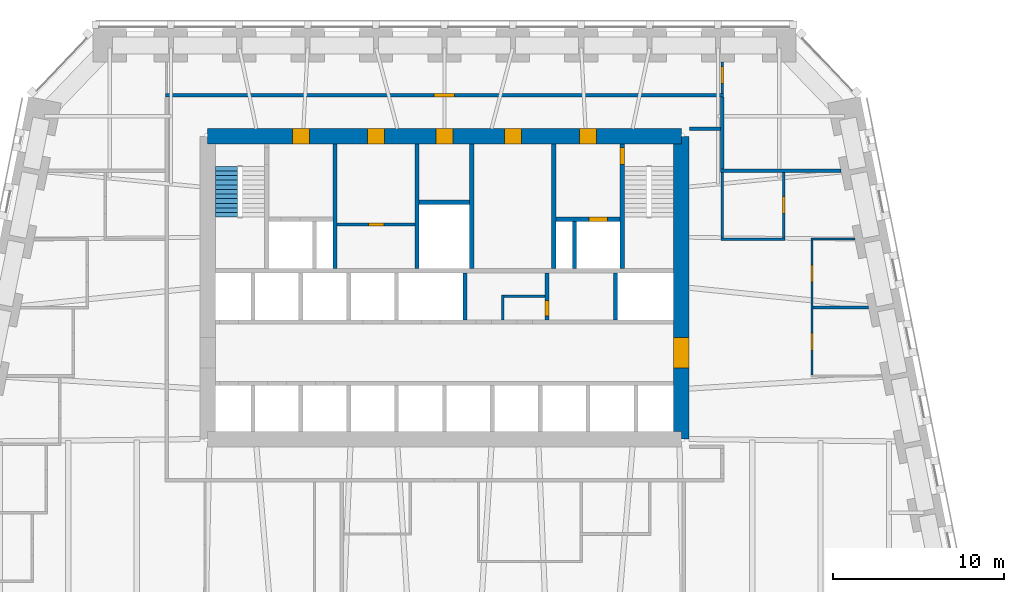
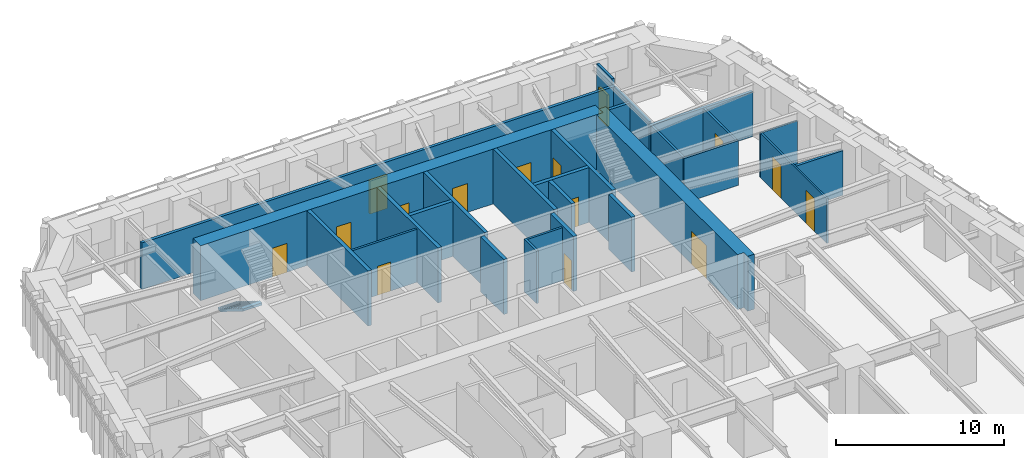
# One storey, part 14 of 17: 27 walls, 15 doors, 1 stair flight, 15 openings, 1 element without a shape of its own.
"""IFC4 building model written with IfcOpenShell, lengths in metres."""

import ifcopenshell
import ifcopenshell.guid

model = None  # the IFC model being written
_history = None  # IfcOwnerHistory: only IFC2X3 demands one
_inside = {}  # id of a spatial element -> (the spatial element, [elements in it])
_under = {}  # id of a project, library or spatial element -> (it, [spatial elements below it])
_declared = {}  # id of a project -> (the project, [libraries it declares])
_typed = {}  # id of a type object -> (the type object, [elements of that type])
_made_of = {}  # id of a material, layer set ... -> (it, [elements and type objects made of it])


def new_model(schema):
    """Start an empty IFC model of exactly this schema.

    Asked for "IFC4X3", IfcOpenShell would pick the latest addendum, in which some entities
    have other attributes; the version numbers below select the first issue.
    IFC2X3 requires an IfcOwnerHistory on every rooted entity: one is made here for all.
    """
    global model, _history
    if schema == "IFC4X3":
        model = ifcopenshell.file(schema_version=(4, 3, 0, 0))
    else:
        model = ifcopenshell.file(schema=schema)
    _inside.clear()
    _under.clear()
    _declared.clear()
    _typed.clear()
    _made_of.clear()
    _history = None
    if model.schema == "IFC2X3":
        org = make("IfcOrganization", Name="unknown")
        user = make(
            "IfcPersonAndOrganization",
            ThePerson=make("IfcPerson", FamilyName="unknown"),
            TheOrganization=org,
        )
        app = make(
            "IfcApplication",
            ApplicationDeveloper=org,
            Version="unknown",
            ApplicationFullName="unknown",
            ApplicationIdentifier="unknown",
        )
        _history = make(
            "IfcOwnerHistory",
            OwningUser=user,
            OwningApplication=app,
            ChangeAction="ADDED",
            CreationDate=0,
        )
    return model


def make(cls, **values):
    """One entity of the class cls with the attributes given. An attribute that is None is left unset."""
    return model.create_entity(
        cls, **{name: value for name, value in values.items() if value is not None}
    )


def rooted(cls, **values):
    """An entity with a GlobalId (a new one), such as an element, a storey or a relation."""
    return make(cls, GlobalId=ifcopenshell.guid.new(), OwnerHistory=_history, **values)


def si_unit(unit_type, name, prefix=None):
    """IfcSIUnit, for example si_unit("LENGTHUNIT", "METRE", prefix="MILLI")."""
    return make("IfcSIUnit", UnitType=unit_type, Prefix=prefix, Name=name)


def assignment(units):
    """IfcUnitAssignment: the units of a project."""
    return None if units is None else make("IfcUnitAssignment", Units=units)


def point(xyz):
    """IfcCartesianPoint."""
    return None if xyz is None else make("IfcCartesianPoint", Coordinates=xyz)


def direction(xyz):
    """IfcDirection."""
    return None if xyz is None else make("IfcDirection", DirectionRatios=xyz)


def frame(location, z_axis=None, x_axis=None):
    """IfcAxis2Placement3D, a coordinate frame: its origin and axes. An axis left out is left unset."""
    return make(
        "IfcAxis2Placement3D",
        Location=point(location),
        Axis=direction(z_axis),
        RefDirection=direction(x_axis),
    )


def frame_2d(location, x_axis=None):
    """IfcAxis2Placement2D, a coordinate frame in the plane: its origin and x axis."""
    return make(
        "IfcAxis2Placement2D", Location=point(location), RefDirection=direction(x_axis)
    )


def origin():
    """The frame at (0, 0, 0) with its axes left unset."""
    return frame((0.0, 0.0, 0.0))


def place(relative_to, where):
    """IfcLocalPlacement: puts the frame where relative to a parent placement (None: the world)."""
    return make(
        "IfcLocalPlacement", PlacementRelTo=relative_to, RelativePlacement=where
    )


def context(
    kind, dimensions, precision=None, world=None, true_north=None, identifier=None
):
    """IfcGeometricRepresentationContext, for example the 3D "Model" context."""
    return make(
        "IfcGeometricRepresentationContext",
        ContextIdentifier=identifier,
        ContextType=kind,
        CoordinateSpaceDimension=dimensions,
        Precision=precision,
        WorldCoordinateSystem=world,
        TrueNorth=true_north,
    )


def subcontext(parent, identifier, kind, view, scale=None):
    """IfcGeometricRepresentationSubContext, for example "Body" below "Model"."""
    return make(
        "IfcGeometricRepresentationSubContext",
        ContextIdentifier=identifier,
        ContextType=kind,
        ParentContext=parent,
        TargetScale=scale,
        TargetView=view,
    )


def project(units=None, contexts=None):
    """IfcProject with its units and contexts."""
    return rooted(
        "IfcProject",
        Name="project",
        RepresentationContexts=contexts,
        UnitsInContext=assignment(units),
    )


def spatial(cls, under=None, at=None, **own):
    """A site, building, storey or space (cls), placed at a placement, below another one or the project."""
    s = rooted(cls, ObjectPlacement=at, **own)
    if under is not None:
        _under.setdefault(under.id(), (under, []))[1].append(s)
    return s


def polyline(points):
    """IfcPolyline through the points."""
    return make("IfcPolyline", Points=[point(p) for p in points])


def profile(cls, at=None, kind="AREA", **sizes):
    """A parametric profile (cls). Its sizes go by their IFC names, for example OverallWidth=200.0."""
    return make(cls, ProfileType=kind, Position=at, **sizes)


def rectangle(**sizes):
    """IfcRectangleProfileDef."""
    return profile("IfcRectangleProfileDef", **sizes)


def outline(outer, holes=None, kind="AREA"):
    """IfcArbitraryClosedProfileDef: a profile drawn as a closed curve; with holes, ...WithVoids."""
    if holes is None:
        return make("IfcArbitraryClosedProfileDef", ProfileType=kind, OuterCurve=outer)
    return make(
        "IfcArbitraryProfileDefWithVoids",
        ProfileType=kind,
        OuterCurve=outer,
        InnerCurves=holes,
    )


def extrude(swept, where, along, depth):
    """IfcExtrudedAreaSolid: the profile swept, set in the frame where, extruded along a direction by depth."""
    return make(
        "IfcExtrudedAreaSolid",
        SweptArea=swept,
        Position=where,
        ExtrudedDirection=direction(along),
        Depth=depth,
    )


def shape(context_of_items, identifier, shape_type, items):
    """IfcShapeRepresentation: the items that make up one representation, for example the "Body"."""
    return make(
        "IfcShapeRepresentation",
        ContextOfItems=context_of_items,
        RepresentationIdentifier=identifier,
        RepresentationType=shape_type,
        Items=items,
    )


def material(Name=None, Category=None):
    """IfcMaterial."""
    return make("IfcMaterial", Name=Name, Category=Category)


def layer(
    of_material, thickness, ventilated=None, Name=None, Category=None, Priority=None
):
    """IfcMaterialLayer: one layer of a wall or slab, of a material (None: an air gap)."""
    return make(
        "IfcMaterialLayer",
        Material=of_material,
        LayerThickness=thickness,
        IsVentilated=ventilated,
        Name=Name,
        Category=Category,
        Priority=Priority,
    )


def layer_set(layers, Name=None):
    """IfcMaterialLayerSet."""
    return make("IfcMaterialLayerSet", MaterialLayers=layers, LayerSetName=Name)


def made_of(thing, what):
    """Note that an element or type object is made of a material, layer set ...; save() writes the relation."""
    if what is not None:
        _made_of.setdefault(what.id(), (what, []))[1].append(thing)
    return thing


def type_object(cls, material=None, **own):
    """A type object (cls), such as IfcWallType, which elements share."""
    return made_of(rooted(cls, **own), material)


def element(
    cls,
    number,
    at=None,
    inside=None,
    cuts=None,
    type_object=None,
    material=None,
    context=None,
    identifier="Body",
    shape_type=None,
    held_by="IfcProductDefinitionShape",
    body=None,
    shapes=None,
    **own,
):
    """One element of the class cls, such as IfcWall. Its Tag is "e" and its number.

    at: its placement. inside: the storey or other place that contains it. cuts: it is an
    opening in that element (IfcRelVoidsElement). A single representation is given by context,
    identifier, shape_type and body (its items); several are given by shapes. held_by: the class
    of the entity that holds the representations. save() writes the other relations.
    """
    e = rooted(cls, Tag="e%d" % number, ObjectPlacement=at, **own)
    if body is not None:
        shapes = [shape(context, identifier, shape_type, body)]
    if shapes is not None:
        e.Representation = make(held_by, Representations=shapes)
    if inside is not None:
        _inside.setdefault(inside.id(), (inside, []))[1].append(e)
    if cuts is not None:
        rooted(
            "IfcRelVoidsElement", RelatingBuildingElement=cuts, RelatedOpeningElement=e
        )
    if type_object is not None:
        _typed.setdefault(type_object.id(), (type_object, []))[1].append(e)
    return made_of(e, material)


def fill(opening, filler):
    """IfcRelFillsElement: the door or window that sits in an opening."""
    return rooted(
        "IfcRelFillsElement",
        RelatingOpeningElement=opening,
        RelatedBuildingElement=filler,
    )


def aggregate(whole, parts):
    """IfcRelAggregates: a whole, such as a stair, and the parts it consists of."""
    return rooted("IfcRelAggregates", RelatingObject=whole, RelatedObjects=parts)


def save(model, path):
    """Write the relations noted so far, then the file.

    IfcRelAggregates (storeys below a building ...), IfcRelContainedInSpatialStructure (elements
    in a storey), IfcRelDefinesByType, IfcRelAssociatesMaterial and IfcRelDeclares: one each for
    every whole, place, type object, material and project.
    """
    for whole, parts in _under.values():
        aggregate(whole, parts)
    for where, things in _inside.values():
        rooted(
            "IfcRelContainedInSpatialStructure",
            RelatedElements=things,
            RelatingStructure=where,
        )
    for kind, things in _typed.values():
        rooted("IfcRelDefinesByType", RelatedObjects=things, RelatingType=kind)
    for what, things in _made_of.values():
        rooted("IfcRelAssociatesMaterial", RelatedObjects=things, RelatingMaterial=what)
    for by, libraries in _declared.values():
        rooted("IfcRelDeclares", RelatingContext=by, RelatedDefinitions=libraries)
    model.write(path)


model = new_model("IFC4")

# Units and contexts
model_context = context("Model", 3, precision=1e-05, world=origin(), true_north=direction((0.0, 1.0)))
body_context = subcontext(model_context, "Body", "Model", "MODEL_VIEW")
ifc_project = project(units=[si_unit("LENGTHUNIT", "METRE"), si_unit("AREAUNIT", "SQUARE_METRE"), si_unit("VOLUMEUNIT", "CUBIC_METRE"), si_unit("PLANEANGLEUNIT", "RADIAN"), si_unit("MASSUNIT", "GRAM", prefix="KILO")], contexts=[model_context])

# Site, building, storey
site_placement = place(None, origin())
site = spatial("IfcSite", under=ifc_project, at=site_placement, CompositionType="ELEMENT")
building_placement = place(site_placement, origin())
building = spatial("IfcBuilding", under=site, at=building_placement, Name="Isbrekke Arena Tower", CompositionType="ELEMENT")
storey_placement = place(building_placement, frame((0.0, 0.0, 48.0)))
storey = spatial("IfcBuildingStorey", under=building, at=storey_placement, Name="L09", CompositionType="ELEMENT", Elevation=48.0)

# Wall, opening, door
ifc_material_1 = material(Name="Concrete B65 (C65/80)", Category="concrete")
ifc_layer_1 = layer(ifc_material_1, 0.89990234375)
ifc_layer_set_1 = layer_set([ifc_layer_1], Name="CW2 CORE WALL 900")
wall_type_1 = type_object("IfcWallType", Name="CW2 CORE WALL 900", PredefinedType="SHEAR", material=ifc_layer_set_1)
wall_1_placement = place(storey_placement, frame((13.85009765625, 6.14990234375, 0.0), z_axis=(0.0, 0.0, 1.0), x_axis=(0.0, 1.0, 0.0)))
wall_1 = element("IfcWall", 1, at=wall_1_placement, inside=storey, type_object=wall_type_1, Name="Core wall E L09", PredefinedType="SHEAR", context=body_context, shape_type="SweptSolid", body=[
    extrude(outline(polyline([(0.0, -0.449951171875), (17.7001953125, -0.449951171875), (17.7001953125, 0.0), (17.250244140625, 0.0), (17.250244140625, 0.449951171875), (0.449951171875, 0.449951171875), (0.449951171875, 0.0), (0.0, 0.0), (0.0, -0.449951171875)])), origin(), (0.0, 0.0, 1.0), 4.0),
])
opening_1_placement = place(wall_1_placement, frame((4.14990234375, 0.0, 0.0)))
opening_1 = element("IfcOpeningElement", 2, at=opening_1_placement, cuts=wall_1, Name="Opening D1", PredefinedType="OPENING", context=body_context, shape_type="SweptSolid", body=[
    extrude(rectangle(XDim=1.800048828125, YDim=2.39990234375, at=frame_2d((0.89990234375, 1.199951171875))), frame((0.0, 0.46484375, 0.0), z_axis=(0.0, -1.0, 0.0), x_axis=(1.0, 0.0, 0.0)), (0.0, 0.0, 1.0), 0.9296875),
])
ifc_material_2 = material(Name="Steel-framed glazed fire door", Category="steel")
door_type_1 = type_object("IfcDoorType", Name="D1 CORE LOBBY DOOR 1800 x 2400", OperationType="DOUBLE_DOOR_SINGLE_SWING", PredefinedType="DOOR", material=ifc_material_2)
door_1_placement = place(opening_1_placement, origin())
door_1 = element("IfcDoor", 3, at=door_1_placement, inside=storey, type_object=door_type_1, Name="D1 lift lobby door east L09", OperationType="DOUBLE_DOOR_SINGLE_SWING", OverallHeight=2.39990234375, OverallWidth=1.800048828125, PredefinedType="DOOR", context=body_context, shape_type="SweptSolid", body=[
    extrude(rectangle(XDim=1.800048828125, YDim=2.39990234375, at=frame_2d((0.89990234375, 1.199951171875))), frame((0.0, 0.44970703125, 0.0), z_axis=(0.0, -1.0, 0.0), x_axis=(1.0, 0.0, 0.0)), (0.0, 0.0, 1.0), 0.8994140625),
])
fill(opening_1, door_1)

# Wall, openings, doors
wall_2_placement = place(storey_placement, frame((13.85009765625, 23.85009765625, 0.0), z_axis=(0.0, 0.0, 1.0), x_axis=(-1.0, 0.0, 0.0)))
wall_2 = element("IfcWall", 4, at=wall_2_placement, inside=storey, type_object=wall_type_1, Name="Core wall N L09", PredefinedType="SHEAR", context=body_context, shape_type="SweptSolid", body=[
    extrude(rectangle(XDim=27.7001953125, YDim=0.89990234375, at=frame_2d((13.85009765625, 0.0))), origin(), (0.0, 0.0, 1.0), 4.0),
])
opening_2_placement = place(wall_2_placement, frame((21.75, 0.0, 0.0)))
opening_2 = element("IfcOpeningElement", 5, at=opening_2_placement, cuts=wall_2, Name="Opening D3", PredefinedType="OPENING", context=body_context, shape_type="SweptSolid", body=[
    extrude(rectangle(XDim=1.0, YDim=2.10009765625, at=frame_2d((0.5, 1.050048828125))), frame((0.0, 0.46484375, 0.0), z_axis=(0.0, -1.0, 0.0), x_axis=(1.0, 0.0, 0.0)), (0.0, 0.0, 1.0), 0.9296875),
])
opening_3_placement = place(wall_2_placement, frame((4.949951171875, 0.0, 0.0)))
opening_3 = element("IfcOpeningElement", 6, at=opening_3_placement, cuts=wall_2, Name="Opening D3", PredefinedType="OPENING", context=body_context, shape_type="SweptSolid", body=[
    extrude(rectangle(XDim=1.0, YDim=2.10009765625, at=frame_2d((0.5, 1.050048828125))), frame((0.0, 0.46484375, 0.0), z_axis=(0.0, -1.0, 0.0), x_axis=(1.0, 0.0, 0.0)), (0.0, 0.0, 1.0), 0.9296875),
])
opening_4_placement = place(wall_2_placement, frame((17.35009765625, 0.0, 0.0)))
opening_4 = element("IfcOpeningElement", 7, at=opening_4_placement, cuts=wall_2, Name="Opening D4", PredefinedType="OPENING", context=body_context, shape_type="SweptSolid", body=[
    extrude(rectangle(XDim=1.0, YDim=2.10009765625, at=frame_2d((0.5, 1.050048828125))), frame((0.0, 0.46484375, 0.0), z_axis=(0.0, -1.0, 0.0), x_axis=(1.0, 0.0, 0.0)), (0.0, 0.0, 1.0), 0.9296875),
])
opening_5_placement = place(wall_2_placement, frame((13.35009765625, 0.0, 0.0)))
opening_5 = element("IfcOpeningElement", 8, at=opening_5_placement, cuts=wall_2, Name="Opening D4", PredefinedType="OPENING", context=body_context, shape_type="SweptSolid", body=[
    extrude(rectangle(XDim=1.0, YDim=2.10009765625, at=frame_2d((0.5, 1.050048828125))), frame((0.0, 0.46484375, 0.0), z_axis=(0.0, -1.0, 0.0), x_axis=(1.0, 0.0, 0.0)), (0.0, 0.0, 1.0), 0.9296875),
])
opening_6_placement = place(wall_2_placement, frame((9.35009765625, 0.0, 0.0)))
opening_6 = element("IfcOpeningElement", 9, at=opening_6_placement, cuts=wall_2, Name="Opening D4", PredefinedType="OPENING", context=body_context, shape_type="SweptSolid", body=[
    extrude(rectangle(XDim=1.0, YDim=2.10009765625, at=frame_2d((0.5, 1.050048828125))), frame((0.0, 0.46484375, 0.0), z_axis=(0.0, -1.0, 0.0), x_axis=(1.0, 0.0, 0.0)), (0.0, 0.0, 1.0), 0.9296875),
])
ifc_material_3 = material(Name="Steel fire door", Category="steel")
door_type_2 = type_object("IfcDoorType", Name="D3 FIRE LOBBY DOOR 1000 x 2100", OperationType="SINGLE_SWING_RIGHT", PredefinedType="DOOR", material=ifc_material_3)
door_2_placement = place(opening_2_placement, origin())
door_2 = element("IfcDoor", 10, at=door_2_placement, inside=storey, type_object=door_type_2, Name="D3 fire-fighting lobby door L09", OperationType="SINGLE_SWING_RIGHT", OverallHeight=2.10009765625, OverallWidth=1.0, PredefinedType="DOOR", context=body_context, shape_type="SweptSolid", body=[
    extrude(rectangle(XDim=1.0, YDim=2.10009765625, at=frame_2d((0.5, 1.050048828125))), frame((0.0, 0.44970703125, 0.0), z_axis=(0.0, -1.0, 0.0), x_axis=(1.0, 0.0, 0.0)), (0.0, 0.0, 1.0), 0.8994140625),
])
fill(opening_2, door_2)
door_3_placement = place(opening_3_placement, origin())
door_3 = element("IfcDoor", 11, at=door_3_placement, inside=storey, type_object=door_type_2, Name="D3 fire-fighting lobby door L09", OperationType="SINGLE_SWING_RIGHT", OverallHeight=2.10009765625, OverallWidth=1.0, PredefinedType="DOOR", context=body_context, shape_type="SweptSolid", body=[
    extrude(rectangle(XDim=1.0, YDim=2.10009765625, at=frame_2d((0.5, 1.050048828125))), frame((0.0, 0.44970703125, 0.0), z_axis=(0.0, -1.0, 0.0), x_axis=(1.0, 0.0, 0.0)), (0.0, 0.0, 1.0), 0.8994140625),
])
fill(opening_3, door_3)
ifc_material_4 = material(Name="Timber door", Category="wood")
door_type_3 = type_object("IfcDoorType", Name="D4 WC DOOR 1000 x 2100", OperationType="SINGLE_SWING_LEFT", PredefinedType="DOOR", material=ifc_material_4)
door_4_placement = place(opening_4_placement, origin())
door_4 = element("IfcDoor", 12, at=door_4_placement, inside=storey, type_object=door_type_3, Name="D4 wc female door L09", OperationType="SINGLE_SWING_LEFT", OverallHeight=2.10009765625, OverallWidth=1.0, PredefinedType="DOOR", context=body_context, shape_type="SweptSolid", body=[
    extrude(rectangle(XDim=1.0, YDim=2.10009765625, at=frame_2d((0.5, 1.050048828125))), frame((0.0, 0.44970703125, 0.0), z_axis=(0.0, -1.0, 0.0), x_axis=(1.0, 0.0, 0.0)), (0.0, 0.0, 1.0), 0.8994140625),
])
fill(opening_4, door_4)
door_5_placement = place(opening_5_placement, origin())
door_5 = element("IfcDoor", 13, at=door_5_placement, inside=storey, type_object=door_type_3, Name="D4 accessible wc door L09", OperationType="SINGLE_SWING_LEFT", OverallHeight=2.10009765625, OverallWidth=1.0, PredefinedType="DOOR", context=body_context, shape_type="SweptSolid", body=[
    extrude(rectangle(XDim=1.0, YDim=2.10009765625, at=frame_2d((0.5, 1.050048828125))), frame((0.0, 0.44970703125, 0.0), z_axis=(0.0, -1.0, 0.0), x_axis=(1.0, 0.0, 0.0)), (0.0, 0.0, 1.0), 0.8994140625),
])
fill(opening_5, door_5)
door_6_placement = place(opening_6_placement, origin())
door_6 = element("IfcDoor", 14, at=door_6_placement, inside=storey, type_object=door_type_3, Name="D4 wc male door L09", OperationType="SINGLE_SWING_LEFT", OverallHeight=2.10009765625, OverallWidth=1.0, PredefinedType="DOOR", context=body_context, shape_type="SweptSolid", body=[
    extrude(rectangle(XDim=1.0, YDim=2.10009765625, at=frame_2d((0.5, 1.050048828125))), frame((0.0, 0.44970703125, 0.0), z_axis=(0.0, -1.0, 0.0), x_axis=(1.0, 0.0, 0.0)), (0.0, 0.0, 1.0), 0.8994140625),
])
fill(opening_6, door_6)

# Wall
ifc_material_5 = material(Name="Concrete B45 (C45/55)", Category="concrete")
ifc_layer_2 = layer(ifc_material_5, 0.25)
ifc_layer_set_2 = layer_set([ifc_layer_2], Name="CW6 SHAFT WALL 250")
wall_type_2 = type_object("IfcWallType", Name="CW6 SHAFT WALL 250", PredefinedType="SHEAR", material=ifc_layer_set_2)
wall_3_placement = place(storey_placement, frame((1.199951171875, 13.125, 0.0), z_axis=(0.0, 0.0, 1.0), x_axis=(0.0, 1.0, 0.0)))
element("IfcWall", 15, at=wall_3_placement, inside=storey, type_object=wall_type_2, Name="Core wall SN05 L09", PredefinedType="SHEAR", context=body_context, shape_type="SweptSolid", body=[
    extrude(rectangle(XDim=2.75, YDim=0.25, at=frame_2d((1.375, 0.0))), origin(), (0.0, 0.0, 1.0), 4.0),
])

# Wall, opening, door
wall_4_placement = place(storey_placement, frame((6.0, 13.125, 0.0), z_axis=(0.0, 0.0, 1.0), x_axis=(0.0, 1.0, 0.0)))
wall_4 = element("IfcWall", 16, at=wall_4_placement, inside=storey, type_object=wall_type_2, Name="Core wall SN06 L09", PredefinedType="SHEAR", context=body_context, shape_type="SweptSolid", body=[
    extrude(rectangle(XDim=2.75, YDim=0.25, at=frame_2d((1.375, 0.0))), origin(), (0.0, 0.0, 1.0), 4.0),
])
opening_7_placement = place(wall_4_placement, frame((0.22509765625, 0.0, 0.0)))
opening_7 = element("IfcOpeningElement", 17, at=opening_7_placement, cuts=wall_4, Name="Opening D5", PredefinedType="OPENING", context=body_context, shape_type="SweptSolid", body=[
    extrude(rectangle(XDim=0.89990234375, YDim=2.10009765625, at=frame_2d((0.449951171875, 1.050048828125))), frame((0.0, 0.139892578125, 0.0), z_axis=(0.0, -1.0, 0.0), x_axis=(1.0, 0.0, 0.0)), (0.0, 0.0, 1.0), 0.27978515625),
])
ifc_material_6 = material(Name="Steel fire door", Category="steel")
door_type_4 = type_object("IfcDoorType", Name="D5 SERVICE DOOR 900 x 2100", OperationType="SINGLE_SWING_LEFT", PredefinedType="DOOR", material=ifc_material_6)
door_7_placement = place(opening_7_placement, frame((0.89990234375, 0.0, 0.0), z_axis=(0.0, 0.0, 1.0), x_axis=(-1.0, 0.0, 0.0)))
door_7 = element("IfcDoor", 18, at=door_7_placement, inside=storey, type_object=door_type_4, Name="D5 store door L09", OperationType="SINGLE_SWING_LEFT", OverallHeight=2.10009765625, OverallWidth=0.89990234375, PredefinedType="DOOR", context=body_context, shape_type="SweptSolid", body=[
    extrude(rectangle(XDim=0.89990234375, YDim=2.10009765625, at=frame_2d((0.449951171875, 1.050048828125))), frame((0.0, 0.124755859375, 0.0), z_axis=(0.0, -1.0, 0.0), x_axis=(1.0, 0.0, 0.0)), (0.0, 0.0, 1.0), 0.24951171875),
])
fill(opening_7, door_7)

# Walls
wall_5_placement = place(storey_placement, frame((10.0, 13.125, 0.0), z_axis=(0.0, 0.0, 1.0), x_axis=(0.0, 1.0, 0.0)))
element("IfcWall", 19, at=wall_5_placement, inside=storey, type_object=wall_type_2, Name="Core wall SN07 L09", PredefinedType="SHEAR", context=body_context, shape_type="SweptSolid", body=[
    extrude(rectangle(XDim=2.75, YDim=0.25, at=frame_2d((1.375, 0.0))), origin(), (0.0, 0.0, 1.0), 4.0),
])
for number, where, z_axis, x_axis, name in (
    (20, (-6.39990234375, 16.125, 0.0), (0.0, 0.0, 1.0), (0.0, 1.0, 0.0), "Core wall NV02 L09"),
    (21, (-1.60009765625, 16.125, 0.0), (0.0, 0.0, 1.0), (0.0, 1.0, 0.0), "Core wall NV03 L09"),
    (22, (1.60009765625, 16.125, 0.0), (0.0, 0.0, 1.0), (0.0, 1.0, 0.0), "Core wall NV04 L09"),
    (23, (6.39990234375, 16.125, 0.0), (0.0, 0.0, 1.0), (0.0, 1.0, 0.0), "Core wall NV05 L09"),
):
    element("IfcWall", number, at=place(storey_placement, frame(where, z_axis=z_axis, x_axis=x_axis)), inside=storey, type_object=wall_type_2, Name=name, PredefinedType="SHEAR", context=body_context, shape_type="SweptSolid", body=[
        extrude(rectangle(XDim=7.27490234375, YDim=0.25, at=frame_2d((3.637451171875, 0.0))), origin(), (0.0, 0.0, 1.0), 4.0),
    ])

# Wall, opening, door
wall_6_placement = place(storey_placement, frame((10.39990234375, 16.125, 0.0), z_axis=(0.0, 0.0, 1.0), x_axis=(0.0, 1.0, 0.0)))
wall_6 = element("IfcWall", 24, at=wall_6_placement, inside=storey, type_object=wall_type_2, Name="Core wall NV06 L09", PredefinedType="SHEAR", context=body_context, shape_type="SweptSolid", body=[
    extrude(rectangle(XDim=7.27490234375, YDim=0.25, at=frame_2d((3.637451171875, 0.0))), origin(), (0.0, 0.0, 1.0), 4.0),
])
opening_8_placement = place(wall_6_placement, frame((6.074951171875, 0.0, 0.0)))
opening_8 = element("IfcOpeningElement", 25, at=opening_8_placement, cuts=wall_6, Name="Opening D2", PredefinedType="OPENING", context=body_context, shape_type="SweptSolid", body=[
    extrude(rectangle(XDim=1.0, YDim=2.10009765625, at=frame_2d((0.5, 1.050048828125))), frame((0.0, 0.139892578125, 0.0), z_axis=(0.0, -1.0, 0.0), x_axis=(1.0, 0.0, 0.0)), (0.0, 0.0, 1.0), 0.27978515625),
])
ifc_material_7 = material(Name="Steel fire door", Category="steel")
door_type_5 = type_object("IfcDoorType", Name="D2 STAIR DOOR 1000 x 2100", OperationType="SINGLE_SWING_LEFT", PredefinedType="DOOR", material=ifc_material_7)
door_8_placement = place(opening_8_placement, origin())
door_8 = element("IfcDoor", 26, at=door_8_placement, inside=storey, type_object=door_type_5, Name="D2 stair door ST2 L09", OperationType="SINGLE_SWING_LEFT", OverallHeight=2.10009765625, OverallWidth=1.0, PredefinedType="DOOR", context=body_context, shape_type="SweptSolid", body=[
    extrude(rectangle(XDim=1.0, YDim=2.10009765625, at=frame_2d((0.5, 1.050048828125))), frame((0.0, 0.124755859375, 0.0), z_axis=(0.0, -1.0, 0.0), x_axis=(1.0, 0.0, 0.0)), (0.0, 0.0, 1.0), 0.24951171875),
])
fill(opening_8, door_8)

wall_7_placement = place(storey_placement, frame((6.52490234375, 19.0, 0.0), z_axis=(0.0, 0.0, 1.0), x_axis=(1.0, 0.0, 0.0)))
wall_7 = element("IfcWall", 27, at=wall_7_placement, inside=storey, type_object=wall_type_2, Name="Core wall NFE L09", PredefinedType="SHEAR", context=body_context, shape_type="SweptSolid", body=[
    extrude(rectangle(XDim=3.75, YDim=0.25, at=frame_2d((1.875, 0.0))), origin(), (0.0, 0.0, 1.0), 4.0),
])
opening_9_placement = place(wall_7_placement, frame((1.925048828125, 0.0, 0.0)))
opening_9 = element("IfcOpeningElement", 28, at=opening_9_placement, cuts=wall_7, Name="Opening LD2", PredefinedType="OPENING", context=body_context, shape_type="SweptSolid", body=[
    extrude(rectangle(XDim=1.10009765625, YDim=2.10009765625, at=frame_2d((0.550048828125, 1.050048828125))), frame((0.0, 0.139892578125, 0.0), z_axis=(0.0, -1.0, 0.0), x_axis=(1.0, 0.0, 0.0)), (0.0, 0.0, 1.0), 0.27978515625),
])
ifc_material_8 = material(Name="Stainless steel lift landing door", Category="steel")
door_type_6 = type_object("IfcDoorType", Name="LD2 FIRE-FIGHTING LIFT LANDING DOOR 1100 x 2100", OperationType="SLIDING_TO_RIGHT", PredefinedType="DOOR", material=ifc_material_8)
door_9_placement = place(opening_9_placement, origin())
door_9 = element("IfcDoor", 29, at=door_9_placement, inside=storey, type_object=door_type_6, Name="LD2 lift landing door LF L09", OperationType="SLIDING_TO_RIGHT", OverallHeight=2.10009765625, OverallWidth=1.10009765625, PredefinedType="DOOR", context=body_context, shape_type="SweptSolid", body=[
    extrude(rectangle(XDim=1.10009765625, YDim=2.10009765625, at=frame_2d((0.550048828125, 1.050048828125))), frame((0.0, 0.124755859375, 0.0), z_axis=(0.0, -1.0, 0.0), x_axis=(1.0, 0.0, 0.0)), (0.0, 0.0, 1.0), 0.24951171875),
])
fill(opening_9, door_9)

# Walls
wall_8_placement = place(storey_placement, frame((7.60009765625, 16.125, 0.0), z_axis=(0.0, 0.0, 1.0), x_axis=(0.0, 1.0, 0.0)))
element("IfcWall", 30, at=wall_8_placement, inside=storey, type_object=wall_type_2, Name="Core wall NFS2 L09", PredefinedType="SHEAR", context=body_context, shape_type="SweptSolid", body=[
    extrude(rectangle(XDim=2.75, YDim=0.25, at=frame_2d((1.375, 0.0))), origin(), (0.0, 0.0, 1.0), 4.0),
])
wall_9_placement = place(storey_placement, frame((-1.47509765625, 20.0, 0.0), z_axis=(0.0, 0.0, 1.0), x_axis=(1.0, 0.0, 0.0)))
element("IfcWall", 31, at=wall_9_placement, inside=storey, type_object=wall_type_2, Name="Core wall NWC L09", PredefinedType="SHEAR", context=body_context, shape_type="SweptSolid", body=[
    extrude(rectangle(XDim=2.9501953125, YDim=0.25, at=frame_2d((1.47509765625, 0.0))), origin(), (0.0, 0.0, 1.0), 4.0),
])
ifc_material_9 = material(Name="Gypsum board partition on steel studs", Category="steel")
ifc_layer_3 = layer(ifc_material_9, 0.14990234375)
ifc_layer_set_3 = layer_set([ifc_layer_3], Name="IW1 PARTITION 150")
wall_type_3 = type_object("IfcWallType", Name="IW1 PARTITION 150", PredefinedType="PARTITIONING", material=ifc_layer_set_3)
wall_10_placement = place(storey_placement, frame((16.175048828125, 17.840087890625, 0.0), z_axis=(0.0, 0.0, 1.0), x_axis=(1.0, 0.0, 0.0)))
element("IfcWall", 32, at=wall_10_placement, inside=storey, type_object=wall_type_3, Name="IW1 partition 150 L09", PredefinedType="PARTITIONING", context=body_context, shape_type="SweptSolid", body=[
    extrude(rectangle(XDim=3.75, YDim=0.14990234375, at=frame_2d((1.875, 0.0))), origin(), (0.0, 0.0, 1.0), 3.25),
])
wall_11_placement = place(storey_placement, frame((16.25, 17.9150390625, 0.0), z_axis=(0.0, 0.0, 1.0), x_axis=(0.0, 1.0, 0.0)))
element("IfcWall", 33, at=wall_11_placement, inside=storey, type_object=wall_type_3, Name="IW1 partition 150 L09", PredefinedType="PARTITIONING", context=body_context, shape_type="SweptSolid", body=[
    extrude(rectangle(XDim=3.824951171875, YDim=0.14990234375, at=frame_2d((1.91259765625, 0.0))), origin(), (0.0, 0.0, 1.0), 3.25),
])

# Wall, opening, door
wall_12_placement = place(storey_placement, frame((16.25, 26.35009765625, 0.0), z_axis=(0.0, 0.0, 1.0), x_axis=(0.0, 1.0, 0.0)))
wall_12 = element("IfcWall", 34, at=wall_12_placement, inside=storey, type_object=wall_type_3, Name="IW1 partition 150 L09", PredefinedType="PARTITIONING", context=body_context, shape_type="SweptSolid", body=[
    extrude(rectangle(XDim=1.849853515625, YDim=0.14990234375, at=frame_2d((0.9248046875, 0.0))), origin(), (0.0, 0.0, 1.0), 3.85009765625),
])
opening_10_placement = place(wall_12_placement, frame((0.60009765625, 0.0, 0.0)))
opening_10 = element("IfcOpeningElement", 35, at=opening_10_placement, cuts=wall_12, Name="Opening D10", PredefinedType="OPENING", context=body_context, shape_type="SweptSolid", body=[
    extrude(rectangle(XDim=1.0, YDim=2.300048828125, at=frame_2d((0.5, 1.14990234375))), frame((0.0, 0.08984375, 0.0), z_axis=(0.0, -1.0, 0.0), x_axis=(1.0, 0.0, 0.0)), (0.0, 0.0, 1.0), 0.1796875),
])
ifc_material_10 = material(Name="Timber door", Category="wood")
door_type_7 = type_object("IfcDoorType", Name="D10 OFFICE DOOR 1000 x 2300", OperationType="SINGLE_SWING_LEFT", PredefinedType="DOOR", material=ifc_material_10)
door_10_placement = place(opening_10_placement, origin())
door_10 = element("IfcDoor", 36, at=door_10_placement, inside=storey, type_object=door_type_7, Name="D10 tea point door L09", OperationType="SINGLE_SWING_LEFT", OverallHeight=2.300048828125, OverallWidth=1.0, PredefinedType="DOOR", context=body_context, shape_type="SweptSolid", body=[
    extrude(rectangle(XDim=1.0, YDim=2.300048828125, at=frame_2d((0.5, 1.14990234375))), frame((0.0, 0.07470703125, 0.0), z_axis=(0.0, -1.0, 0.0), x_axis=(1.0, 0.0, 0.0)), (0.0, 0.0, 1.0), 0.1494140625),
])
fill(opening_10, door_10)

wall_13_placement = place(storey_placement, frame((19.85009765625, 17.9150390625, 0.0), z_axis=(0.0, 0.0, 1.0), x_axis=(0.0, 1.0, 0.0)))
wall_13 = element("IfcWall", 37, at=wall_13_placement, inside=storey, type_object=wall_type_3, Name="IW1 partition 150 L09", PredefinedType="PARTITIONING", context=body_context, shape_type="SweptSolid", body=[
    extrude(rectangle(XDim=3.824951171875, YDim=0.14990234375, at=frame_2d((1.91259765625, 0.0))), origin(), (0.0, 0.0, 1.0), 3.25),
])
opening_11_placement = place(wall_13_placement, frame((1.425048828125, 0.0, 0.0)))
opening_11 = element("IfcOpeningElement", 38, at=opening_11_placement, cuts=wall_13, Name="Opening D10", PredefinedType="OPENING", context=body_context, shape_type="SweptSolid", body=[
    extrude(rectangle(XDim=1.0, YDim=2.300048828125, at=frame_2d((0.5, 1.14990234375))), frame((0.0, 0.08984375, 0.0), z_axis=(0.0, -1.0, 0.0), x_axis=(1.0, 0.0, 0.0)), (0.0, 0.0, 1.0), 0.1796875),
])
door_11_placement = place(opening_11_placement, origin())
door_11 = element("IfcDoor", 39, at=door_11_placement, inside=storey, type_object=door_type_7, Name="D10 pantry door L09", OperationType="SINGLE_SWING_LEFT", OverallHeight=2.300048828125, OverallWidth=1.0, PredefinedType="DOOR", context=body_context, shape_type="SweptSolid", body=[
    extrude(rectangle(XDim=1.0, YDim=2.300048828125, at=frame_2d((0.5, 1.14990234375))), frame((0.0, 0.07470703125, 0.0), z_axis=(0.0, -1.0, 0.0), x_axis=(1.0, 0.0, 0.0)), (0.0, 0.0, 1.0), 0.1494140625),
])
fill(opening_11, door_11)

# Wall
ifc_material_11 = material(Name="Frameless glazed partition, laminated acoustic glass", Category="glass")
ifc_layer_4 = layer(ifc_material_11, 0.1201171875)
ifc_layer_set_4 = layer_set([ifc_layer_4], Name="IW2 GLAZED PARTITION 120")
wall_type_4 = type_object("IfcWallType", Name="IW2 GLAZED PARTITION 120", PredefinedType="PARTITIONING", material=ifc_layer_set_4)
wall_14_placement = place(storey_placement, frame((21.43994140625, 17.840087890625, 0.0), z_axis=(0.0, 0.0, 1.0), x_axis=(1.0, 0.0, 0.0)))
element("IfcWall", 40, at=wall_14_placement, inside=storey, type_object=wall_type_4, Name="IW2 glazed partition 120 L09", PredefinedType="PARTITIONING", context=body_context, shape_type="SweptSolid", body=[
    extrude(rectangle(XDim=2.556396484375, YDim=0.1201171875, at=frame_2d((1.2783203125, 0.0))), origin(), (0.0, 0.0, 1.0), 3.25),
])

# Wall, openings, doors
wall_15_placement = place(storey_placement, frame((21.5, 9.89990234375, 0.0), z_axis=(0.0, 0.0, 1.0), x_axis=(0.0, 1.0, 0.0)))
wall_15 = element("IfcWall", 41, at=wall_15_placement, inside=storey, type_object=wall_type_4, Name="IW2 glazed partition 120 L09", PredefinedType="PARTITIONING", context=body_context, shape_type="SweptSolid", body=[
    extrude(rectangle(XDim=7.880126953125, YDim=0.1201171875, at=frame_2d((3.93994140625, 0.0))), origin(), (0.0, 0.0, 1.0), 3.25),
])
opening_12_placement = place(wall_15_placement, frame((1.43994140625, 0.0, 0.0)))
opening_12 = element("IfcOpeningElement", 42, at=opening_12_placement, cuts=wall_15, Name="Opening D11", PredefinedType="OPENING", context=body_context, shape_type="SweptSolid", body=[
    extrude(rectangle(XDim=1.0, YDim=2.39990234375, at=frame_2d((0.5, 1.199951171875))), frame((0.0, 0.074951171875, 0.0), z_axis=(0.0, -1.0, 0.0), x_axis=(1.0, 0.0, 0.0)), (0.0, 0.0, 1.0), 0.14990234375),
])
opening_13_placement = place(wall_15_placement, frame((5.43994140625, 0.0, 0.0)))
opening_13 = element("IfcOpeningElement", 43, at=opening_13_placement, cuts=wall_15, Name="Opening D11", PredefinedType="OPENING", context=body_context, shape_type="SweptSolid", body=[
    extrude(rectangle(XDim=1.0, YDim=2.39990234375, at=frame_2d((0.5, 1.199951171875))), frame((0.0, 0.074951171875, 0.0), z_axis=(0.0, -1.0, 0.0), x_axis=(1.0, 0.0, 0.0)), (0.0, 0.0, 1.0), 0.14990234375),
])
ifc_material_12 = material(Name="Frameless glazed door", Category="glass")
door_type_8 = type_object("IfcDoorType", Name="D11 GLAZED MEETING ROOM DOOR 1000 x 2400", OperationType="SINGLE_SWING_RIGHT", PredefinedType="DOOR", material=ifc_material_12)
door_12_placement = place(opening_12_placement, origin())
door_12 = element("IfcDoor", 44, at=door_12_placement, inside=storey, type_object=door_type_8, Name="D11 meeting room door L09", OperationType="SINGLE_SWING_RIGHT", OverallHeight=2.39990234375, OverallWidth=1.0, PredefinedType="DOOR", context=body_context, shape_type="SweptSolid", body=[
    extrude(rectangle(XDim=1.0, YDim=2.39990234375, at=frame_2d((0.5, 1.199951171875))), frame((0.0, 0.059814453125, 0.0), z_axis=(0.0, -1.0, 0.0), x_axis=(1.0, 0.0, 0.0)), (0.0, 0.0, 1.0), 0.11962890625),
])
fill(opening_12, door_12)
door_13_placement = place(opening_13_placement, origin())
door_13 = element("IfcDoor", 45, at=door_13_placement, inside=storey, type_object=door_type_8, Name="D11 meeting room door L09", OperationType="SINGLE_SWING_RIGHT", OverallHeight=2.39990234375, OverallWidth=1.0, PredefinedType="DOOR", context=body_context, shape_type="SweptSolid", body=[
    extrude(rectangle(XDim=1.0, YDim=2.39990234375, at=frame_2d((0.5, 1.199951171875))), frame((0.0, 0.059814453125, 0.0), z_axis=(0.0, -1.0, 0.0), x_axis=(1.0, 0.0, 0.0)), (0.0, 0.0, 1.0), 0.11962890625),
])
fill(opening_13, door_13)

# Walls
ifc_material_13 = material(Name="Gypsum board fire-cell wall on steel studs, two layers each side", Category="steel")
ifc_layer_5 = layer(ifc_material_13, 0.199951171875)
ifc_layer_set_5 = layer_set([ifc_layer_5], Name="IW3 FIRE-CELL WALL 200")
wall_type_5 = type_object("IfcWallType", Name="IW3 FIRE-CELL WALL 200", PredefinedType="PARTITIONING", material=ifc_layer_set_5)
wall_16_placement = place(storey_placement, frame((16.14990234375, 21.840087890625, 0.0), z_axis=(0.0, 0.0, 1.0), x_axis=(1.0, 0.0, 0.0)))
element("IfcWall", 46, at=wall_16_placement, inside=storey, type_object=wall_type_5, Name="IW3 fire-cell wall 200 L09", PredefinedType="PARTITIONING", context=body_context, shape_type="SweptSolid", body=[
    extrude(rectangle(XDim=7.04638671875, YDim=0.199951171875, at=frame_2d((3.523193359375, 0.0))), origin(), (0.0, 0.0, 1.0), 3.25),
])
wall_17_placement = place(storey_placement, frame((14.330078125, 24.300048828125, 0.0), z_axis=(0.0, 0.0, 1.0), x_axis=(1.0, 0.0, 0.0)))
element("IfcWall", 47, at=wall_17_placement, inside=storey, type_object=wall_type_5, Name="IW3 fire-cell wall 200 L09", PredefinedType="PARTITIONING", context=body_context, shape_type="SweptSolid", body=[
    extrude(rectangle(XDim=1.81982421875, YDim=0.199951171875, at=frame_2d((0.909912109375, 0.0))), origin(), (0.0, 0.0, 1.0), 3.39990234375),
])

# Wall, opening, door
wall_18_placement = place(storey_placement, frame((-16.31005859375, 26.25, 0.0), z_axis=(0.0, 0.0, 1.0), x_axis=(1.0, 0.0, 0.0)))
wall_18 = element("IfcWall", 48, at=wall_18_placement, inside=storey, type_object=wall_type_5, Name="IW3 fire-cell wall 200 L09", PredefinedType="PARTITIONING", context=body_context, shape_type="SweptSolid", body=[
    extrude(rectangle(XDim=32.635009765625, YDim=0.199951171875, at=frame_2d((16.3173828125, 0.0))), origin(), (0.0, 0.0, 1.0), 3.39990234375),
])
opening_14_placement = place(wall_18_placement, frame((15.7099609375, 0.0, 0.0)))
opening_14 = element("IfcOpeningElement", 49, at=opening_14_placement, cuts=wall_18, Name="Opening D12", PredefinedType="OPENING", context=body_context, shape_type="SweptSolid", body=[
    extrude(rectangle(XDim=1.199951171875, YDim=2.39990234375, at=frame_2d((0.60009765625, 1.199951171875))), frame((0.0, 0.11474609375, 0.0), z_axis=(0.0, -1.0, 0.0), x_axis=(1.0, 0.0, 0.0)), (0.0, 0.0, 1.0), 0.229736328125),
])
ifc_material_14 = material(Name="Timber fire door with vision panel", Category="wood")
door_type_9 = type_object("IfcDoorType", Name="D12 SUITE ENTRANCE DOOR 1200 x 2400", OperationType="SINGLE_SWING_LEFT", PredefinedType="DOOR", material=ifc_material_14)
door_14_placement = place(opening_14_placement, origin())
door_14 = element("IfcDoor", 50, at=door_14_placement, inside=storey, type_object=door_type_9, Name="D12 suite entrance N door L09", OperationType="SINGLE_SWING_LEFT", OverallHeight=2.39990234375, OverallWidth=1.199951171875, PredefinedType="DOOR", context=body_context, shape_type="SweptSolid", body=[
    extrude(rectangle(XDim=1.199951171875, YDim=2.39990234375, at=frame_2d((0.60009765625, 1.199951171875))), frame((0.0, 0.099609375, 0.0), z_axis=(0.0, -1.0, 0.0), x_axis=(1.0, 0.0, 0.0)), (0.0, 0.0, 1.0), 0.199462890625),
])
fill(opening_14, door_14)

# Walls
wall_19_placement = place(storey_placement, frame((16.25, 21.93994140625, 0.0), z_axis=(0.0, 0.0, 1.0), x_axis=(0.0, 1.0, 0.0)))
element("IfcWall", 51, at=wall_19_placement, inside=storey, type_object=wall_type_5, Name="IW3 fire-cell wall 200 L09", PredefinedType="PARTITIONING", context=body_context, shape_type="SweptSolid", body=[
    extrude(rectangle(XDim=4.2099609375, YDim=0.199951171875, at=frame_2d((2.10498046875, 0.0))), origin(), (0.0, 0.0, 1.0), 3.39990234375),
])
ifc_material_15 = material(Name="Gypsum board acoustic partition on twin steel studs", Category="steel")
ifc_layer_6 = layer(ifc_material_15, 0.175048828125)
ifc_layer_set_6 = layer_set([ifc_layer_6], Name="IW4 ACOUSTIC PARTITION 175")
wall_type_6 = type_object("IfcWallType", Name="IW4 ACOUSTIC PARTITION 175", PredefinedType="PARTITIONING", material=ifc_layer_set_6)
wall_20_placement = place(storey_placement, frame((21.56005859375, 13.840087890625, 0.0), z_axis=(0.0, 0.0, 1.0), x_axis=(1.0, 0.0, 0.0)))
element("IfcWall", 52, at=wall_20_placement, inside=storey, type_object=wall_type_6, Name="IW4 acoustic partition 175 L09", PredefinedType="PARTITIONING", context=body_context, shape_type="SweptSolid", body=[
    extrude(rectangle(XDim=3.236328125, YDim=0.175048828125, at=frame_2d((1.6181640625, 0.0))), origin(), (0.0, 0.0, 1.0), 3.25),
])

# Wall, opening, door
ifc_material_16 = material(Name="Gypsum board fire-rated partition on steel studs, two layers each side", Category="steel")
ifc_layer_7 = layer(ifc_material_16, 0.14990234375)
ifc_layer_set_7 = layer_set([ifc_layer_7], Name="IW5 FIRE-RATED PARTITION 150")
wall_type_7 = type_object("IfcWallType", Name="IW5 FIRE-RATED PARTITION 150", PredefinedType="PARTITIONING", material=ifc_layer_set_7)
wall_21_placement = place(storey_placement, frame((-6.27490234375, 18.699951171875, 0.0), z_axis=(0.0, 0.0, 1.0), x_axis=(1.0, 0.0, 0.0)))
wall_21 = element("IfcWall", 53, at=wall_21_placement, inside=storey, type_object=wall_type_7, Name="IW5 fire-rated partition L09 cleaner's store F", PredefinedType="PARTITIONING", context=body_context, shape_type="SweptSolid", body=[
    extrude(rectangle(XDim=4.5498046875, YDim=0.14990234375, at=frame_2d((2.27490234375, 0.0))), origin(), (0.0, 0.0, 1.0), 3.85009765625),
])
opening_15_placement = place(wall_21_placement, frame((1.824951171875, 0.0, 0.0)))
opening_15 = element("IfcOpeningElement", 54, at=opening_15_placement, cuts=wall_21, Name="Opening D5", PredefinedType="OPENING", context=body_context, shape_type="SweptSolid", body=[
    extrude(rectangle(XDim=0.89990234375, YDim=2.10009765625, at=frame_2d((0.449951171875, 1.050048828125))), frame((0.0, 0.08984375, 0.0), z_axis=(0.0, -1.0, 0.0), x_axis=(1.0, 0.0, 0.0)), (0.0, 0.0, 1.0), 0.1796875),
])
door_15_placement = place(opening_15_placement, origin())
door_15 = element("IfcDoor", 55, at=door_15_placement, inside=storey, type_object=door_type_4, Name="D5 cleaner's store door L09", OperationType="SINGLE_SWING_LEFT", OverallHeight=2.10009765625, OverallWidth=0.89990234375, PredefinedType="DOOR", context=body_context, shape_type="SweptSolid", body=[
    extrude(rectangle(XDim=0.89990234375, YDim=2.10009765625, at=frame_2d((0.449951171875, 1.050048828125))), frame((0.0, 0.07470703125, 0.0), z_axis=(0.0, -1.0, 0.0), x_axis=(1.0, 0.0, 0.0)), (0.0, 0.0, 1.0), 0.1494140625),
])
fill(opening_15, door_15)

# Walls
wall_22_placement = place(storey_placement, frame((3.39990234375, 13.125, 0.0), z_axis=(0.0, 0.0, 1.0), x_axis=(0.0, 1.0, 0.0)))
element("IfcWall", 56, at=wall_22_placement, inside=storey, type_object=wall_type_7, Name="IW5 fire-rated partition L09 core service rooms 1", PredefinedType="PARTITIONING", context=body_context, shape_type="SweptSolid", body=[
    extrude(rectangle(XDim=1.449951171875, YDim=0.14990234375, at=frame_2d((0.72509765625, 0.0))), origin(), (0.0, 0.0, 1.0), 3.85009765625),
])
wall_23_placement = place(storey_placement, frame((3.47509765625, 14.5, 0.0), z_axis=(0.0, 0.0, 1.0), x_axis=(1.0, 0.0, 0.0)))
element("IfcWall", 57, at=wall_23_placement, inside=storey, type_object=wall_type_7, Name="IW5 fire-rated partition L09 core service rooms 2", PredefinedType="PARTITIONING", context=body_context, shape_type="SweptSolid", body=[
    extrude(rectangle(XDim=2.39990234375, YDim=0.14990234375, at=frame_2d((1.199951171875, 0.0))), origin(), (0.0, 0.0, 1.0), 3.85009765625),
])

# Stair, stair flight
ifc_material_17 = material(Name="Concrete B45 (C45/55) precast", Category="concrete")
stair_type = type_object("IfcStairType", Name="ST40 STAIR 1300 WIDE, 24 RISERS 167", PredefinedType="HALF_TURN_STAIR", material=ifc_material_17)
stair_placement = place(storey_placement, origin())
stair = element("IfcStair", 58, at=stair_placement, inside=storey, type_object=stair_type, Name="ST1 stair L09", PredefinedType="HALF_TURN_STAIR")
ifc_material_18 = material(Name="Concrete B45 (C45/55) precast", Category="concrete")
stair_flight_type = type_object("IfcStairFlightType", Name="SF 1300 FLIGHT", PredefinedType="STRAIGHT", material=ifc_material_18)
stair_flight_placement = place(storey_placement, frame((-12.75, 22.10009765625, 0.0), z_axis=(0.0, 0.0, 1.0), x_axis=(0.0, -1.0, 0.0)))
stair_flight = element("IfcStairFlight", 59, at=stair_flight_placement, type_object=stair_flight_type, Name="ST1 flight 1", NumberOfRisers=12, NumberOfTreads=11, PredefinedType="STRAIGHT", RiserHeight=0.166666667, TreadLength=0.27, context=body_context, shape_type="SweptSolid", body=[
    extrude(outline(polyline([(0.0, 0.0), (0.0, 0.166748046875), (0.27001953125, 0.166748046875), (0.27001953125, 0.333251953125), (0.5400390625, 0.333251953125), (0.5400390625, 0.5), (0.81005859375, 0.5), (0.81005859375, 0.666748046875), (1.080078125, 0.666748046875), (1.080078125, 0.833251953125), (1.35009765625, 0.833251953125), (1.35009765625, 1.0), (1.6201171875, 1.0), (1.6201171875, 1.166748046875), (1.889892578125, 1.166748046875), (1.889892578125, 1.333251953125), (2.159912109375, 1.333251953125), (2.159912109375, 1.5), (2.429931640625, 1.5), (2.429931640625, 1.666748046875), (2.699951171875, 1.666748046875), (2.699951171875, 1.833251953125), (2.969970703125, 1.833251953125), (2.969970703125, 2.0), (2.969970703125, 1.6572265625), (0.285400390625, 0.0), (0.0, 0.0)])), frame((0.0, 0.64990234375, 0.0), z_axis=(0.0, -1.0, 0.0), x_axis=(1.0, 0.0, 0.0)), (0.0, 0.0, 1.0), 1.300048828125),
])
aggregate(stair, [stair_flight])

save(model, "model.ifc")
